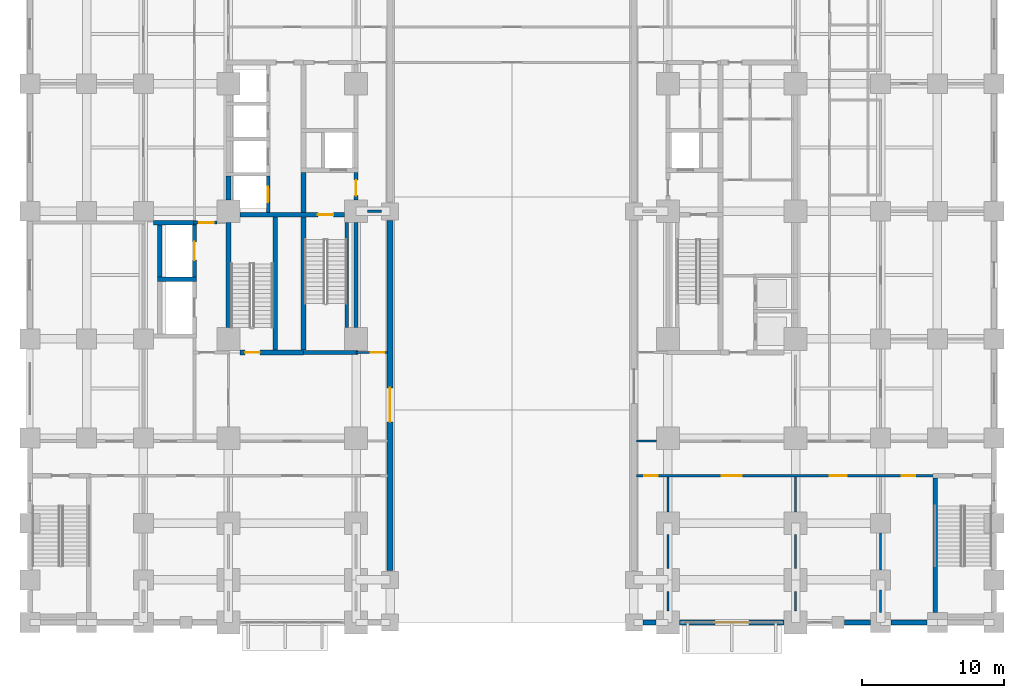
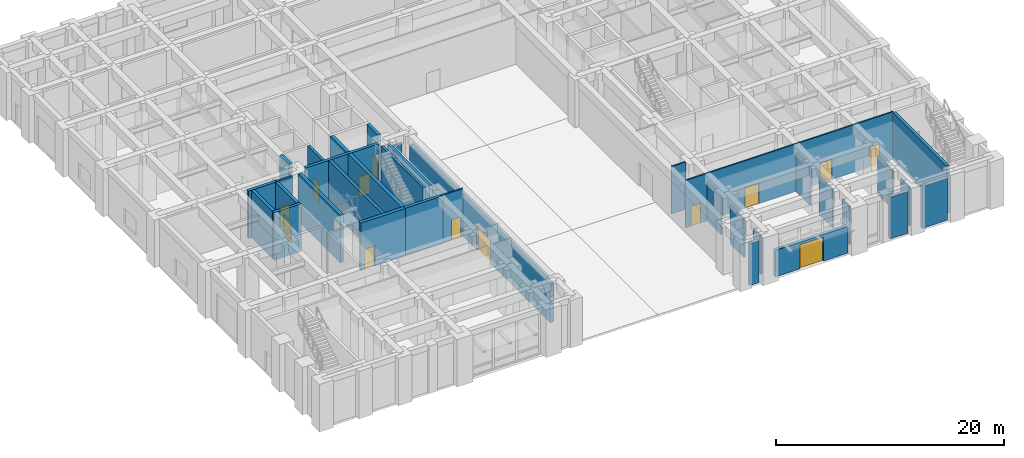
# One storey, part 7 of 20: 35 walls, 13 doors, 13 openings.
"""IFC4 building model written with IfcOpenShell, lengths in metres."""

from ifc_helpers import new_model, si_unit, direction, frame, frame_2d, origin, place, context, subcontext, project, spatial, rectangle, extrude, material, layer, layer_set, type_object, element, fill, save


model = new_model("IFC4")

# Units and contexts
model_context = context("Model", 3, precision=1e-05, world=origin(), true_north=direction((0.0, 1.0)))
body_context = subcontext(model_context, "Body", "Model", "MODEL_VIEW")
ifc_project = project(units=[si_unit("LENGTHUNIT", "METRE"), si_unit("AREAUNIT", "SQUARE_METRE"), si_unit("VOLUMEUNIT", "CUBIC_METRE"), si_unit("PLANEANGLEUNIT", "RADIAN"), si_unit("MASSUNIT", "GRAM", prefix="KILO")], contexts=[model_context])

# Site, building, storey
site_placement = place(None, origin())
site = spatial("IfcSite", under=ifc_project, at=site_placement, CompositionType="ELEMENT")
building_placement = place(site_placement, origin())
building = spatial("IfcBuilding", under=site, at=building_placement, Name="Zulmaris Gate Convention Tower", CompositionType="ELEMENT")
storey_placement = place(building_placement, origin())
storey = spatial("IfcBuildingStorey", under=building, at=storey_placement, Name="L00", CompositionType="ELEMENT", Elevation=0.0)

# Wall, opening, door
ifc_material_1 = material(Name="Concrete C50/60", Category="concrete")
ifc_layer_1 = layer(ifc_material_1, 0.25, Name="Concrete C50/60")
ifc_layer_set_1 = layer_set([ifc_layer_1], Name="Concrete C50/60")
wall_type_1 = type_object("IfcWallType", Name="CORE-250", PredefinedType="SOLIDWALL", material=ifc_layer_set_1)
wall_1_placement = place(storey_placement, frame((-17.199951171875, -0.097900390625, 0.0), z_axis=(0.0, 0.0, 1.0), x_axis=(0.0, 1.0, 0.0)))
wall_1 = element("IfcWall", 1, at=wall_1_placement, inside=storey, type_object=wall_type_1, Name="WL-L00-075", PredefinedType="SOLIDWALL", context=body_context, shape_type="SweptSolid", body=[
    extrude(rectangle(XDim=2.57080078125, YDim=0.25, at=frame_2d((1.285400390625, 0.0))), origin(), (0.0, 0.0, 1.0), 5.08984375),
])
opening_1_placement = place(wall_1_placement, frame((0.722900390625, 0.0, 0.0)))
opening_1 = element("IfcOpeningElement", 2, at=opening_1_placement, cuts=wall_1, Name="Opening D-06", PredefinedType="OPENING", context=body_context, shape_type="SweptSolid", body=[
    extrude(rectangle(XDim=1.10009765625, YDim=2.199951171875, at=frame_2d((0.550048828125, 1.10009765625))), frame((0.0, 0.135009765625, 0.0), z_axis=(0.0, -1.0, 0.0), x_axis=(1.0, 0.0, 0.0)), (0.0, 0.0, 1.0), 0.27001953125),
])
ifc_material_2 = material(Name="Brushed Stainless Steel", Category="steel")
door_type_1 = type_object("IfcDoorType", Name="LD-1100", OperationType="NOTDEFINED", PredefinedType="DOOR", material=ifc_material_2)
door_1_placement = place(opening_1_placement, origin())
door_1 = element("IfcDoor", 3, at=door_1_placement, inside=storey, type_object=door_type_1, Name="L00 Lift Landing Door LP-01 12", OperationType="SLIDING_TO_LEFT", OverallHeight=2.199951171875, OverallWidth=1.10009765625, PredefinedType="DOOR", context=body_context, shape_type="SweptSolid", body=[
    extrude(rectangle(XDim=1.10009765625, YDim=2.199951171875, at=frame_2d((0.550048828125, 1.10009765625))), frame((0.0, 0.02490234375, 0.0), z_axis=(0.0, -1.0, 0.0), x_axis=(1.0, 0.0, 0.0)), (0.0, 0.0, 1.0), 0.050048828125),
])
fill(opening_1, door_1)

# Walls
wall_2_placement = place(storey_placement, frame((-11.64990234375, -8.196044921875, 0.0), z_axis=(0.0, 0.0, 1.0), x_axis=(0.0, 1.0, 0.0)))
element("IfcWall", 4, at=wall_2_placement, inside=storey, type_object=wall_type_1, Name="WL-L00-085", PredefinedType="SOLIDWALL", context=body_context, shape_type="SweptSolid", body=[
    extrude(rectangle(XDim=7.39208984375, YDim=0.25, at=frame_2d((3.696044921875, 0.0))), origin(), (0.0, 0.0, 1.0), 5.08984375),
])
ifc_layer_2 = layer(ifc_material_1, 0.300048828125, Name="Concrete C50/60")
ifc_layer_set_2 = layer_set([ifc_layer_2], Name="Concrete C50/60")
wall_type_2 = type_object("IfcWallType", Name="CORE-300", PredefinedType="SHEAR", material=ifc_layer_set_2)
wall_3_placement = place(storey_placement, frame((-14.699951171875, -9.949951171875, 0.0), z_axis=(0.0, 0.0, 1.0), x_axis=(1.0, 0.0, 0.0)))
element("IfcWall", 5, at=wall_3_placement, inside=storey, type_object=wall_type_2, Name="WL-L00-006", PredefinedType="SHEAR", context=body_context, shape_type="SweptSolid", body=[
    extrude(rectangle(XDim=3.849853515625, YDim=0.300048828125, at=frame_2d((1.9248046875, 0.0))), origin(), (0.0, 0.0, 1.0), 5.08984375),
])
wall_4_placement = place(storey_placement, frame((-25.0, -4.800048828125, 0.0), z_axis=(0.0, 0.0, 1.0), x_axis=(1.0, 0.0, 0.0)))
element("IfcWall", 6, at=wall_4_placement, inside=storey, type_object=wall_type_2, Name="WL-L00-011", PredefinedType="SHEAR", context=body_context, shape_type="SweptSolid", body=[
    extrude(rectangle(XDim=2.75, YDim=0.300048828125, at=frame_2d((1.375, 0.0))), origin(), (0.0, 0.0, 1.0), 5.08984375),
])
wall_5_placement = place(storey_placement, frame((-25.2958984375, -0.800048828125, 0.0), z_axis=(0.0, 0.0, 1.0), x_axis=(1.0, 0.0, 0.0)))
element("IfcWall", 7, at=wall_5_placement, inside=storey, type_object=wall_type_2, Name="WL-L00-013", PredefinedType="SHEAR", context=body_context, shape_type="SweptSolid", body=[
    extrude(rectangle(XDim=3.0458984375, YDim=0.300048828125, at=frame_2d((1.52294921875, 0.0))), origin(), (0.0, 0.0, 1.0), 5.08984375),
])

# Wall, opening, door
wall_6_placement = place(storey_placement, frame((-19.196044921875, -0.25, 0.0), z_axis=(0.0, 0.0, 1.0), x_axis=(1.0, 0.0, 0.0)))
wall_6 = element("IfcWall", 8, at=wall_6_placement, inside=storey, type_object=wall_type_2, Name="WL-L00-014", PredefinedType="SHEAR", context=body_context, shape_type="SweptSolid", body=[
    extrude(rectangle(XDim=7.39208984375, YDim=0.300048828125, at=frame_2d((3.696044921875, 0.0))), origin(), (0.0, 0.0, 1.0), 5.08984375),
])
opening_2_placement = place(wall_6_placement, frame((5.49609375, 0.0, 0.0)))
opening_2 = element("IfcOpeningElement", 9, at=opening_2_placement, cuts=wall_6, Name="Opening D-08", PredefinedType="OPENING", context=body_context, shape_type="SweptSolid", body=[
    extrude(rectangle(XDim=1.10009765625, YDim=2.14990234375, at=frame_2d((0.550048828125, 1.074951171875))), frame((0.0, 0.16015625, 0.0), z_axis=(0.0, -1.0, 0.0), x_axis=(1.0, 0.0, 0.0)), (0.0, 0.0, 1.0), 0.320068359375),
])
ifc_material_3 = material(Name="Fire-Rated Steel", Category="steel")
door_type_2 = type_object("IfcDoorType", Name="DR-1100-FD", OperationType="NOTDEFINED", PredefinedType="DOOR", material=ifc_material_3)
door_2_placement = place(opening_2_placement, origin())
door_2 = element("IfcDoor", 10, at=door_2_placement, inside=storey, type_object=door_type_2, Name="L00 Exit Stair ST-1 Door 01", OperationType="SINGLE_SWING_RIGHT", OverallHeight=2.14990234375, OverallWidth=1.10009765625, PredefinedType="DOOR", context=body_context, shape_type="SweptSolid", body=[
    extrude(rectangle(XDim=1.10009765625, YDim=2.14990234375, at=frame_2d((0.550048828125, 1.074951171875))), frame((0.0, 0.02490234375, 0.0), z_axis=(0.0, -1.0, 0.0), x_axis=(1.0, 0.0, 0.0)), (0.0, 0.0, 1.0), 0.050048828125),
])
fill(opening_2, door_2)

# Wall
wall_7_placement = place(storey_placement, frame((-24.85009765625, -4.64794921875, 0.0), z_axis=(0.0, 0.0, 1.0), x_axis=(0.0, 1.0, 0.0)))
element("IfcWall", 11, at=wall_7_placement, inside=storey, type_object=wall_type_2, Name="WL-L00-067", PredefinedType="SHEAR", context=body_context, shape_type="SweptSolid", body=[
    extrude(rectangle(XDim=3.696044921875, YDim=0.300048828125, at=frame_2d((1.84814453125, 0.0))), origin(), (0.0, 0.0, 1.0), 5.08984375),
])

# Wall, opening, door
wall_8_placement = place(storey_placement, frame((-22.39990234375, -4.64794921875, 0.0), z_axis=(0.0, 0.0, 1.0), x_axis=(0.0, 1.0, 0.0)))
wall_8 = element("IfcWall", 12, at=wall_8_placement, inside=storey, type_object=wall_type_2, Name="WL-L00-069", PredefinedType="SHEAR", context=body_context, shape_type="SweptSolid", body=[
    extrude(rectangle(XDim=3.696044921875, YDim=0.300048828125, at=frame_2d((1.84814453125, 0.0))), origin(), (0.0, 0.0, 1.0), 5.08984375),
])
opening_3_placement = place(wall_8_placement, frame((1.197998046875, 0.0, 0.0)))
opening_3 = element("IfcOpeningElement", 13, at=opening_3_placement, cuts=wall_8, Name="Opening D-07", PredefinedType="OPENING", context=body_context, shape_type="SweptSolid", body=[
    extrude(rectangle(XDim=1.300048828125, YDim=2.300048828125, at=frame_2d((0.64990234375, 1.14990234375))), frame((0.0, 0.16015625, 0.0), z_axis=(0.0, -1.0, 0.0), x_axis=(1.0, 0.0, 0.0)), (0.0, 0.0, 1.0), 0.320068359375),
])
ifc_material_4 = material(Name="Heavy-Duty Brushed Stainless Steel", Category="steel")
door_type_3 = type_object("IfcDoorType", Name="LD-1300", OperationType="NOTDEFINED", PredefinedType="DOOR", material=ifc_material_4)
door_3_placement = place(opening_3_placement, origin())
door_3 = element("IfcDoor", 14, at=door_3_placement, inside=storey, type_object=door_type_3, Name="L00 Goods Lift Door GL-02 25", OperationType="SLIDING_TO_LEFT", OverallHeight=2.300048828125, OverallWidth=1.300048828125, PredefinedType="DOOR", context=body_context, shape_type="SweptSolid", body=[
    extrude(rectangle(XDim=1.300048828125, YDim=2.300048828125, at=frame_2d((0.64990234375, 1.14990234375))), frame((0.0, 0.02490234375, 0.0), z_axis=(0.0, -1.0, 0.0), x_axis=(1.0, 0.0, 0.0)), (0.0, 0.0, 1.0), 0.050048828125),
])
fill(opening_3, door_3)

# Walls
wall_9_placement = place(storey_placement, frame((-16.699951171875, -9.77294921875, 0.0), z_axis=(0.0, 0.0, 1.0), x_axis=(0.0, 1.0, 0.0)))
element("IfcWall", 15, at=wall_9_placement, inside=storey, type_object=wall_type_2, Name="WL-L00-079", PredefinedType="SHEAR", context=body_context, shape_type="SweptSolid", body=[
    extrude(rectangle(XDim=9.370849609375, YDim=0.300048828125, at=frame_2d((4.685546875, 0.0))), origin(), (0.0, 0.0, 1.0), 5.08984375),
])
wall_10_placement = place(storey_placement, frame((-11.0, -8.196044921875, 0.0), z_axis=(0.0, 0.0, 1.0), x_axis=(0.0, 1.0, 0.0)))
element("IfcWall", 16, at=wall_10_placement, inside=storey, type_object=wall_type_2, Name="WL-L00-086", PredefinedType="SHEAR", context=body_context, shape_type="SweptSolid", body=[
    extrude(rectangle(XDim=7.39208984375, YDim=0.300048828125, at=frame_2d((3.696044921875, 0.0))), origin(), (0.0, 0.0, 1.0), 5.08984375),
])

# Wall, opening, door
wall_11_placement = place(storey_placement, frame((-11.0, 0.803955078125, 0.0), z_axis=(0.0, 0.0, 1.0), x_axis=(0.0, 1.0, 0.0)))
wall_11 = element("IfcWall", 17, at=wall_11_placement, inside=storey, type_object=wall_type_2, Name="WL-L00-087", PredefinedType="SHEAR", context=body_context, shape_type="SweptSolid", body=[
    extrude(rectangle(XDim=1.944091796875, YDim=0.300048828125, at=frame_2d((0.97216796875, 0.0))), origin(), (0.0, 0.0, 1.0), 5.08984375),
])
opening_4_placement = place(wall_11_placement, frame((0.2958984375, 0.0, 0.0)))
opening_4 = element("IfcOpeningElement", 18, at=opening_4_placement, cuts=wall_11, Name="Opening D-08", PredefinedType="OPENING", context=body_context, shape_type="SweptSolid", body=[
    extrude(rectangle(XDim=1.10009765625, YDim=2.14990234375, at=frame_2d((0.550048828125, 1.074951171875))), frame((0.0, 0.16015625, 0.0), z_axis=(0.0, -1.0, 0.0), x_axis=(1.0, 0.0, 0.0)), (0.0, 0.0, 1.0), 0.320068359375),
])
door_4_placement = place(opening_4_placement, origin())
door_4 = element("IfcDoor", 19, at=door_4_placement, inside=storey, type_object=door_type_2, Name="L00 West Firefighting Lobby Door 02", OperationType="SINGLE_SWING_LEFT", OverallHeight=2.14990234375, OverallWidth=1.10009765625, PredefinedType="DOOR", context=body_context, shape_type="SweptSolid", body=[
    extrude(rectangle(XDim=1.10009765625, YDim=2.14990234375, at=frame_2d((0.550048828125, 1.074951171875))), frame((0.0, 0.02490234375, 0.0), z_axis=(0.0, -1.0, 0.0), x_axis=(1.0, 0.0, 0.0)), (0.0, 0.0, 1.0), 0.050048828125),
])
fill(opening_4, door_4)

# Wall
wall_12_placement = place(storey_placement, frame((29.85009765625, -28.2958984375, 0.0), z_axis=(0.0, 0.0, 1.0), x_axis=(0.0, 1.0, 0.0)))
element("IfcWall", 20, at=wall_12_placement, inside=storey, type_object=wall_type_2, Name="WL-L00-106", PredefinedType="SHEAR", context=body_context, shape_type="SweptSolid", body=[
    extrude(rectangle(XDim=9.493896484375, YDim=0.300048828125, at=frame_2d((4.7470703125, 0.0))), origin(), (0.0, 0.0, 1.0), 5.08984375),
])

# Wall, opening, door
ifc_material_5 = material(Name="Concrete C55/67", Category="concrete")
ifc_layer_3 = layer(ifc_material_5, 0.35009765625, Name="Concrete C55/67")
ifc_layer_set_3 = layer_set([ifc_layer_3], Name="Concrete C55/67")
wall_type_3 = type_object("IfcWallType", Name="CORE-350", PredefinedType="SHEAR", material=ifc_layer_set_3)
wall_13_placement = place(storey_placement, frame((-19.196044921875, -9.949951171875, 0.0), z_axis=(0.0, 0.0, 1.0), x_axis=(1.0, 0.0, 0.0)))
wall_13 = element("IfcWall", 21, at=wall_13_placement, inside=storey, type_object=wall_type_3, Name="WL-L00-005", PredefinedType="SHEAR", context=body_context, shape_type="SweptSolid", body=[
    extrude(rectangle(XDim=4.49609375, YDim=0.35009765625, at=frame_2d((2.248046875, 0.0))), origin(), (0.0, 0.0, 1.0), 5.08984375),
])
opening_5_placement = place(wall_13_placement, frame((0.37109375, 0.0, 0.0)))
opening_5 = element("IfcOpeningElement", 22, at=opening_5_placement, cuts=wall_13, Name="Opening D-09", PredefinedType="OPENING", context=body_context, shape_type="SweptSolid", body=[
    extrude(rectangle(XDim=1.050048828125, YDim=2.14990234375, at=frame_2d((0.52490234375, 1.074951171875))), frame((0.0, 0.18505859375, 0.0), z_axis=(0.0, -1.0, 0.0), x_axis=(1.0, 0.0, 0.0)), (0.0, 0.0, 1.0), 0.3701171875),
])
door_type_4 = type_object("IfcDoorType", Name="DR-1050-FD", OperationType="NOTDEFINED", PredefinedType="DOOR", material=ifc_material_3)
door_5_placement = place(opening_5_placement, origin())
door_5 = element("IfcDoor", 23, at=door_5_placement, inside=storey, type_object=door_type_4, Name="L00 Exit Stair ST-3 Door 10", OperationType="SINGLE_SWING_LEFT", OverallHeight=2.14990234375, OverallWidth=1.050048828125, PredefinedType="DOOR", context=body_context, shape_type="SweptSolid", body=[
    extrude(rectangle(XDim=1.050048828125, YDim=2.14990234375, at=frame_2d((0.52490234375, 1.074951171875))), frame((0.0, 0.02490234375, 0.0), z_axis=(0.0, -1.0, 0.0), x_axis=(1.0, 0.0, 0.0)), (0.0, 0.0, 1.0), 0.050048828125),
])
fill(opening_5, door_5)

# Walls
wall_14_placement = place(storey_placement, frame((-20.0, -8.196044921875, 0.0), z_axis=(0.0, 0.0, 1.0), x_axis=(0.0, 1.0, 0.0)))
element("IfcWall", 24, at=wall_14_placement, inside=storey, type_object=wall_type_3, Name="WL-L00-070", PredefinedType="SHEAR", context=body_context, shape_type="SweptSolid", body=[
    extrude(rectangle(XDim=7.39208984375, YDim=0.35009765625, at=frame_2d((3.696044921875, 0.0))), origin(), (0.0, 0.0, 1.0), 5.08984375),
])
wall_15_placement = place(storey_placement, frame((-20.0, 0.803955078125, 0.0), z_axis=(0.0, 0.0, 1.0), x_axis=(0.0, 1.0, 0.0)))
element("IfcWall", 25, at=wall_15_placement, inside=storey, type_object=wall_type_3, Name="WL-L00-071", PredefinedType="SHEAR", context=body_context, shape_type="SweptSolid", body=[
    extrude(rectangle(XDim=1.6689453125, YDim=0.35009765625, at=frame_2d((0.83447265625, 0.0))), origin(), (0.0, 0.0, 1.0), 5.08984375),
])
wall_16_placement = place(storey_placement, frame((-14.699951171875, -9.77294921875, 0.0), z_axis=(0.0, 0.0, 1.0), x_axis=(0.0, 1.0, 0.0)))
element("IfcWall", 26, at=wall_16_placement, inside=storey, type_object=wall_type_3, Name="WL-L00-080", PredefinedType="SHEAR", context=body_context, shape_type="SweptSolid", body=[
    extrude(rectangle(XDim=9.370849609375, YDim=0.35009765625, at=frame_2d((4.685546875, 0.0))), origin(), (0.0, 0.0, 1.0), 5.08984375),
])
wall_17_placement = place(storey_placement, frame((-14.699951171875, -0.097900390625, 0.0), z_axis=(0.0, 0.0, 1.0), x_axis=(0.0, 1.0, 0.0)))
element("IfcWall", 27, at=wall_17_placement, inside=storey, type_object=wall_type_3, Name="WL-L00-081", PredefinedType="SHEAR", context=body_context, shape_type="SweptSolid", body=[
    extrude(rectangle(XDim=2.845947265625, YDim=0.35009765625, at=frame_2d((1.4228515625, 0.0))), origin(), (0.0, 0.0, 1.0), 5.08984375),
])

# Wall, openings, doors
ifc_material_6 = material(Name="Gypsum Metal Stud Partition")
ifc_layer_4 = layer(ifc_material_6, 0.14990234375, Name="Gypsum Metal Stud Partition")
ifc_layer_set_4 = layer_set([ifc_layer_4], Name="Gypsum Metal Stud Partition")
wall_type_4 = type_object("IfcWallType", Name="PART-150", PredefinedType="PARTITIONING", material=ifc_layer_set_4)
wall_18_placement = place(storey_placement, frame((8.764892578125, -18.64990234375, 0.0), z_axis=(0.0, 0.0, 1.0), x_axis=(1.0, 0.0, 0.0)))
wall_18 = element("IfcWall", 28, at=wall_18_placement, inside=storey, type_object=wall_type_4, Name="WL-L00-033", PredefinedType="PARTITIONING", context=body_context, shape_type="SweptSolid", body=[
    extrude(rectangle(XDim=21.085205078125, YDim=0.14990234375, at=frame_2d((10.54248046875, 0.0))), origin(), (0.0, 0.0, 1.0), 5.08984375),
])
opening_6_placement = place(wall_18_placement, frame((0.56005859375, 0.0, 0.0)))
opening_6 = element("IfcOpeningElement", 29, at=opening_6_placement, cuts=wall_18, Name="Opening D-11", PredefinedType="OPENING", context=body_context, shape_type="SweptSolid", body=[
    extrude(rectangle(XDim=0.949951171875, YDim=2.14990234375, at=frame_2d((0.47509765625, 1.074951171875))), frame((0.0, 0.0849609375, 0.0), z_axis=(0.0, -1.0, 0.0), x_axis=(1.0, 0.0, 0.0)), (0.0, 0.0, 1.0), 0.169921875),
])
opening_7_placement = place(wall_18_placement, frame((6.034912109375, 0.0, 0.0)))
opening_7 = element("IfcOpeningElement", 30, at=opening_7_placement, cuts=wall_18, Name="Opening D-14", PredefinedType="OPENING", context=body_context, shape_type="SweptSolid", body=[
    extrude(rectangle(XDim=1.39990234375, YDim=2.199951171875, at=frame_2d((0.699951171875, 1.10009765625))), frame((0.0, 0.0849609375, 0.0), z_axis=(0.0, -1.0, 0.0), x_axis=(1.0, 0.0, 0.0)), (0.0, 0.0, 1.0), 0.169921875),
])
opening_8_placement = place(wall_18_placement, frame((13.635009765625, 0.0, 0.0)))
opening_8 = element("IfcOpeningElement", 31, at=opening_8_placement, cuts=wall_18, Name="Opening D-13", PredefinedType="OPENING", context=body_context, shape_type="SweptSolid", body=[
    extrude(rectangle(XDim=1.199951171875, YDim=2.14990234375, at=frame_2d((0.60009765625, 1.074951171875))), frame((0.0, 0.0849609375, 0.0), z_axis=(0.0, -1.0, 0.0), x_axis=(1.0, 0.0, 0.0)), (0.0, 0.0, 1.0), 0.169921875),
])
opening_9_placement = place(wall_18_placement, frame((18.7099609375, 0.0, 0.0)))
opening_9 = element("IfcOpeningElement", 32, at=opening_9_placement, cuts=wall_18, Name="Opening D-11", PredefinedType="OPENING", context=body_context, shape_type="SweptSolid", body=[
    extrude(rectangle(XDim=0.949951171875, YDim=2.14990234375, at=frame_2d((0.47509765625, 1.074951171875))), frame((0.0, 0.0849609375, 0.0), z_axis=(0.0, -1.0, 0.0), x_axis=(1.0, 0.0, 0.0)), (0.0, 0.0, 1.0), 0.169921875),
])
door_type_5 = type_object("IfcDoorType", Name="DR-1200-FD", OperationType="NOTDEFINED", PredefinedType="DOOR", material=ifc_material_3)
door_6_placement = place(opening_8_placement, origin())
door_6 = element("IfcDoor", 33, at=door_6_placement, inside=storey, type_object=door_type_5, Name="L00 Visitor Foyer Door 64", OperationType="SINGLE_SWING_LEFT", OverallHeight=2.14990234375, OverallWidth=1.199951171875, PredefinedType="DOOR", context=body_context, shape_type="SweptSolid", body=[
    extrude(rectangle(XDim=1.199951171875, YDim=2.14990234375, at=frame_2d((0.60009765625, 1.074951171875))), frame((0.0, 0.02490234375, 0.0), z_axis=(0.0, -1.0, 0.0), x_axis=(1.0, 0.0, 0.0)), (0.0, 0.0, 1.0), 0.050048828125),
])
fill(opening_8, door_6)
ifc_material_7 = material(Name="Fire-Rated Glazed Steel", Category="steel")
door_type_6 = type_object("IfcDoorType", Name="DR-1400-FD", OperationType="NOTDEFINED", PredefinedType="DOOR", material=ifc_material_7)
door_7_placement = place(opening_7_placement, origin())
door_7 = element("IfcDoor", 34, at=door_7_placement, inside=storey, type_object=door_type_6, Name="L00 Main Entrance Lobby Door 63", OperationType="SINGLE_SWING_RIGHT", OverallHeight=2.199951171875, OverallWidth=1.39990234375, PredefinedType="DOOR", context=body_context, shape_type="SweptSolid", body=[
    extrude(rectangle(XDim=1.39990234375, YDim=2.199951171875, at=frame_2d((0.699951171875, 1.10009765625))), frame((0.0, 0.02490234375, 0.0), z_axis=(0.0, -1.0, 0.0), x_axis=(1.0, 0.0, 0.0)), (0.0, 0.0, 1.0), 0.050048828125),
])
fill(opening_7, door_7)
ifc_material_8 = material(Name="Fire-Rated Timber", Category="wood")
door_type_7 = type_object("IfcDoorType", Name="DR-950-FD", OperationType="NOTDEFINED", PredefinedType="DOOR", material=ifc_material_8)
door_8_placement = place(opening_6_placement, origin())
door_8 = element("IfcDoor", 35, at=door_8_placement, inside=storey, type_object=door_type_7, Name="L00 East Cloakroom Door 62", OperationType="SINGLE_SWING_LEFT", OverallHeight=2.14990234375, OverallWidth=0.949951171875, PredefinedType="DOOR", context=body_context, shape_type="SweptSolid", body=[
    extrude(rectangle(XDim=0.949951171875, YDim=2.14990234375, at=frame_2d((0.47509765625, 1.074951171875))), frame((0.0, 0.02490234375, 0.0), z_axis=(0.0, -1.0, 0.0), x_axis=(1.0, 0.0, 0.0)), (0.0, 0.0, 1.0), 0.050048828125),
])
fill(opening_6, door_8)
door_9_placement = place(opening_9_placement, origin())
door_9 = element("IfcDoor", 36, at=door_9_placement, inside=storey, type_object=door_type_7, Name="L00 Security Office Door 65", OperationType="SINGLE_SWING_RIGHT", OverallHeight=2.14990234375, OverallWidth=0.949951171875, PredefinedType="DOOR", context=body_context, shape_type="SweptSolid", body=[
    extrude(rectangle(XDim=0.949951171875, YDim=2.14990234375, at=frame_2d((0.47509765625, 1.074951171875))), frame((0.0, 0.02490234375, 0.0), z_axis=(0.0, -1.0, 0.0), x_axis=(1.0, 0.0, 0.0)), (0.0, 0.0, 1.0), 0.050048828125),
])
fill(opening_9, door_9)

# Wall
wall_19_placement = place(storey_placement, frame((8.764892578125, -16.199951171875, 0.0), z_axis=(0.0, 0.0, 1.0), x_axis=(1.0, 0.0, 0.0)))
element("IfcWall", 37, at=wall_19_placement, inside=storey, type_object=wall_type_4, Name="WL-L00-036", PredefinedType="PARTITIONING", context=body_context, shape_type="SweptSolid", body=[
    extrude(rectangle(XDim=1.42919921875, YDim=0.14990234375, at=frame_2d((0.714599609375, 0.0))), origin(), (0.0, 0.0, 1.0), 5.08984375),
])

# Wall, opening, door
wall_20_placement = place(storey_placement, frame((-11.0, -9.949951171875, 0.0), z_axis=(0.0, 0.0, 1.0), x_axis=(1.0, 0.0, 0.0)))
wall_20 = element("IfcWall", 38, at=wall_20_placement, inside=storey, type_object=wall_type_4, Name="WL-L00-038", PredefinedType="PARTITIONING", context=body_context, shape_type="SweptSolid", body=[
    extrude(rectangle(XDim=2.235107421875, YDim=0.14990234375, at=frame_2d((1.11767578125, 0.0))), origin(), (0.0, 0.0, 1.0), 5.08984375),
])
opening_10_placement = place(wall_20_placement, frame((1.044921875, 0.0, 0.0)))
opening_10 = element("IfcOpeningElement", 39, at=opening_10_placement, cuts=wall_20, Name="Opening D-11", PredefinedType="OPENING", context=body_context, shape_type="SweptSolid", body=[
    extrude(rectangle(XDim=0.949951171875, YDim=2.14990234375, at=frame_2d((0.47509765625, 1.074951171875))), frame((0.0, 0.0849609375, 0.0), z_axis=(0.0, -1.0, 0.0), x_axis=(1.0, 0.0, 0.0)), (0.0, 0.0, 1.0), 0.169921875),
])
door_10_placement = place(opening_10_placement, origin())
door_10 = element("IfcDoor", 40, at=door_10_placement, inside=storey, type_object=door_type_7, Name="L00 SW Arch Store Door 30", OperationType="SINGLE_SWING_LEFT", OverallHeight=2.14990234375, OverallWidth=0.949951171875, PredefinedType="DOOR", context=body_context, shape_type="SweptSolid", body=[
    extrude(rectangle(XDim=0.949951171875, YDim=2.14990234375, at=frame_2d((0.47509765625, 1.074951171875))), frame((0.0, 0.02490234375, 0.0), z_axis=(0.0, -1.0, 0.0), x_axis=(1.0, 0.0, 0.0)), (0.0, 0.0, 1.0), 0.050048828125),
])
fill(opening_10, door_10)

# Walls
wall_21_placement = place(storey_placement, frame((-10.194091796875, 0.0, 0.0), z_axis=(0.0, 0.0, 1.0), x_axis=(1.0, 0.0, 0.0)))
element("IfcWall", 41, at=wall_21_placement, inside=storey, type_object=wall_type_4, Name="WL-L00-044", PredefinedType="PARTITIONING", context=body_context, shape_type="SweptSolid", body=[
    extrude(rectangle(XDim=0.988037109375, YDim=0.14990234375, at=frame_2d((0.494140625, 0.0))), origin(), (0.0, 0.0, 1.0), 4.1318359375),
])
wall_22_placement = place(storey_placement, frame((11.0, -28.194091796875, 0.0), z_axis=(0.0, 0.0, 1.0), x_axis=(0.0, 1.0, 0.0)))
element("IfcWall", 42, at=wall_22_placement, inside=storey, type_object=wall_type_4, Name="WL-L00-128", PredefinedType="PARTITIONING", context=body_context, shape_type="SweptSolid", body=[
    extrude(rectangle(XDim=1.38818359375, YDim=0.14990234375, at=frame_2d((0.694091796875, 0.0))), origin(), (0.0, 0.0, 1.0), 4.1318359375),
])
wall_23_placement = place(storey_placement, frame((11.0, -25.194091796875, 0.0), z_axis=(0.0, 0.0, 1.0), x_axis=(0.0, 1.0, 0.0)))
element("IfcWall", 43, at=wall_23_placement, inside=storey, type_object=wall_type_4, Name="WL-L00-128S1", PredefinedType="PARTITIONING", context=body_context, shape_type="SweptSolid", body=[
    extrude(rectangle(XDim=2.38818359375, YDim=0.14990234375, at=frame_2d((1.194091796875, 0.0))), origin(), (0.0, 0.0, 1.0), 4.1318359375),
])
wall_24_placement = place(storey_placement, frame((11.0, -21.194091796875, 0.0), z_axis=(0.0, 0.0, 1.0), x_axis=(0.0, 1.0, 0.0)))
element("IfcWall", 44, at=wall_24_placement, inside=storey, type_object=wall_type_4, Name="WL-L00-128S2", PredefinedType="PARTITIONING", context=body_context, shape_type="SweptSolid", body=[
    extrude(rectangle(XDim=2.466064453125, YDim=0.14990234375, at=frame_2d((1.23291015625, 0.0))), origin(), (0.0, 0.0, 1.0), 4.1318359375),
])
wall_25_placement = place(storey_placement, frame((20.0, -28.194091796875, 0.0), z_axis=(0.0, 0.0, 1.0), x_axis=(0.0, 1.0, 0.0)))
element("IfcWall", 45, at=wall_25_placement, inside=storey, type_object=wall_type_4, Name="WL-L00-134", PredefinedType="PARTITIONING", context=body_context, shape_type="SweptSolid", body=[
    extrude(rectangle(XDim=1.38818359375, YDim=0.14990234375, at=frame_2d((0.694091796875, 0.0))), origin(), (0.0, 0.0, 1.0), 4.1318359375),
])
wall_26_placement = place(storey_placement, frame((20.0, -25.194091796875, 0.0), z_axis=(0.0, 0.0, 1.0), x_axis=(0.0, 1.0, 0.0)))
element("IfcWall", 46, at=wall_26_placement, inside=storey, type_object=wall_type_4, Name="WL-L00-134S1", PredefinedType="PARTITIONING", context=body_context, shape_type="SweptSolid", body=[
    extrude(rectangle(XDim=2.38818359375, YDim=0.14990234375, at=frame_2d((1.194091796875, 0.0))), origin(), (0.0, 0.0, 1.0), 4.1318359375),
])
wall_27_placement = place(storey_placement, frame((20.0, -21.194091796875, 0.0), z_axis=(0.0, 0.0, 1.0), x_axis=(0.0, 1.0, 0.0)))
element("IfcWall", 47, at=wall_27_placement, inside=storey, type_object=wall_type_4, Name="WL-L00-134S2", PredefinedType="PARTITIONING", context=body_context, shape_type="SweptSolid", body=[
    extrude(rectangle(XDim=2.466064453125, YDim=0.14990234375, at=frame_2d((1.23291015625, 0.0))), origin(), (0.0, 0.0, 1.0), 4.1318359375),
])
wall_28_placement = place(storey_placement, frame((26.0, -28.2939453125, 0.0), z_axis=(0.0, 0.0, 1.0), x_axis=(0.0, 1.0, 0.0)))
element("IfcWall", 48, at=wall_28_placement, inside=storey, type_object=wall_type_4, Name="WL-L00-148", PredefinedType="PARTITIONING", context=body_context, shape_type="SweptSolid", body=[
    extrude(rectangle(XDim=1.587890625, YDim=0.14990234375, at=frame_2d((0.7939453125, 0.0))), origin(), (0.0, 0.0, 1.0), 4.1318359375),
])
wall_29_placement = place(storey_placement, frame((26.0, -25.2939453125, 0.0), z_axis=(0.0, 0.0, 1.0), x_axis=(0.0, 1.0, 0.0)))
element("IfcWall", 49, at=wall_29_placement, inside=storey, type_object=wall_type_4, Name="WL-L00-148S1", PredefinedType="PARTITIONING", context=body_context, shape_type="SweptSolid", body=[
    extrude(rectangle(XDim=2.587890625, YDim=0.14990234375, at=frame_2d((1.2939453125, 0.0))), origin(), (0.0, 0.0, 1.0), 4.1318359375),
])

# Wall, opening, door
ifc_material_9 = material(Name="Autoclaved Aerated Concrete Block and Plasterboard", Category="concrete")
ifc_layer_5 = layer(ifc_material_9, 0.199951171875, Name="Autoclaved Aerated Concrete Block and Plasterboard")
ifc_layer_set_5 = layer_set([ifc_layer_5], Name="Autoclaved Aerated Concrete Block and Plasterboard")
wall_type_5 = type_object("IfcWallType", Name="PART-200", PredefinedType="PARTITIONING", material=ifc_layer_set_5)
wall_30_placement = place(storey_placement, frame((-22.47509765625, -0.800048828125, 0.0), z_axis=(0.0, 0.0, 1.0), x_axis=(1.0, 0.0, 0.0)))
wall_30 = element("IfcWall", 50, at=wall_30_placement, inside=storey, type_object=wall_type_5, Name="WL-L00-043", PredefinedType="PARTITIONING", context=body_context, shape_type="SweptSolid", body=[
    extrude(rectangle(XDim=1.669189453125, YDim=0.199951171875, at=frame_2d((0.83447265625, 0.0))), origin(), (0.0, 0.0, 1.0), 5.08984375),
])
opening_11_placement = place(wall_30_placement, frame((0.425048828125, 0.0, 0.0)))
opening_11 = element("IfcOpeningElement", 51, at=opening_11_placement, cuts=wall_30, Name="Opening D-10", PredefinedType="OPENING", context=body_context, shape_type="SweptSolid", body=[
    extrude(rectangle(XDim=1.0, YDim=2.14990234375, at=frame_2d((0.5, 1.074951171875))), frame((0.0, 0.10986328125, 0.0), z_axis=(0.0, -1.0, 0.0), x_axis=(1.0, 0.0, 0.0)), (0.0, 0.0, 1.0), 0.219970703125),
])
door_type_8 = type_object("IfcDoorType", Name="DR-1000-FD", OperationType="NOTDEFINED", PredefinedType="DOOR", material=ifc_material_8)
door_11_placement = place(opening_11_placement, origin())
door_11 = element("IfcDoor", 52, at=door_11_placement, inside=storey, type_object=door_type_8, Name="L00 Goods Lobby Door 26", OperationType="SINGLE_SWING_LEFT", OverallHeight=2.14990234375, OverallWidth=1.0, PredefinedType="DOOR", context=body_context, shape_type="SweptSolid", body=[
    extrude(rectangle(XDim=1.0, YDim=2.14990234375, at=frame_2d((0.5, 1.074951171875))), frame((0.0, 0.02490234375, 0.0), z_axis=(0.0, -1.0, 0.0), x_axis=(1.0, 0.0, 0.0)), (0.0, 0.0, 1.0), 0.050048828125),
])
fill(opening_11, door_11)

ifc_material_10 = material(Name="Precast concrete C50/60", Category="concrete")
ifc_layer_6 = layer(ifc_material_10, 0.39990234375, Name="Precast concrete C50/60")
ifc_layer_set_6 = layer_set([ifc_layer_6], Name="Precast concrete C50/60")
wall_type_6 = type_object("IfcWallType", Name="PRECAST-ARCH-400", PredefinedType="STANDARD", material=ifc_layer_set_6)
wall_31_placement = place(storey_placement, frame((-8.60009765625, -25.35009765625, 0.0), z_axis=(0.0, 0.0, 1.0), x_axis=(0.0, 1.0, 0.0)))
wall_31 = element("IfcWall", 53, at=wall_31_placement, inside=storey, type_object=wall_type_6, Name="EW-L00-ARCH-WS_0", PredefinedType="STANDARD", context=body_context, shape_type="SweptSolid", body=[
    extrude(rectangle(XDim=24.7001953125, YDim=0.39990234375, at=frame_2d((12.35009765625, 0.0))), origin(), (0.0, 0.0, 1.0), 4.1318359375),
])
opening_12_placement = place(wall_31_placement, frame((10.5, 0.0, 0.0)))
opening_12 = element("IfcOpeningElement", 54, at=opening_12_placement, cuts=wall_31, Name="Opening D-01", PredefinedType="OPENING", context=body_context, shape_type="SweptSolid", body=[
    extrude(rectangle(XDim=2.39990234375, YDim=2.60009765625, at=frame_2d((1.199951171875, 1.300048828125))), frame((0.0, 0.2099609375, 0.0), z_axis=(0.0, -1.0, 0.0), x_axis=(1.0, 0.0, 0.0)), (0.0, 0.0, 1.0), 0.419921875),
])
ifc_material_11 = material(Name="Anodised Aluminium and Laminated Glass", Category="aluminium")
door_type_9 = type_object("IfcDoorType", Name="ED-2400", OperationType="DOUBLE_DOOR_DOUBLE_SWING", PredefinedType="DOOR", material=ifc_material_11)
door_12_placement = place(opening_12_placement, origin())
door_12 = element("IfcDoor", 55, at=door_12_placement, inside=storey, type_object=door_type_9, Name="Pishtaq Concourse WS Lobby Door", OperationType="DOUBLE_DOOR_DOUBLE_SWING", OverallHeight=2.60009765625, OverallWidth=2.39990234375, PredefinedType="DOOR", context=body_context, shape_type="SweptSolid", body=[
    extrude(rectangle(XDim=2.39990234375, YDim=2.60009765625, at=frame_2d((1.199951171875, 1.300048828125))), frame((0.0, 0.02490234375, 0.0), z_axis=(0.0, -1.0, 0.0), x_axis=(1.0, 0.0, 0.0)), (0.0, 0.0, 1.0), 0.050048828125),
])
fill(opening_12, door_12)

# Wall
ifc_material_12 = material(Name="Precast concrete C45/55", Category="concrete")
ifc_layer_7 = layer(ifc_material_12, 0.35009765625, Name="Precast concrete C45/55")
ifc_layer_set_7 = layer_set([ifc_layer_7], Name="Precast concrete C45/55")
wall_type_7 = type_object("IfcWallType", Name="PRECAST-POD-350", PredefinedType="STANDARD", material=ifc_layer_set_7)
wall_32_placement = place(storey_placement, frame((9.22998046875, -29.0, 0.0), z_axis=(0.0, 0.0, 1.0), x_axis=(1.0, 0.0, 0.0)))
element("IfcWall", 56, at=wall_32_placement, inside=storey, type_object=wall_type_7, Name="EW-L00-S-86_0", PredefinedType="STANDARD", context=body_context, shape_type="SweptSolid", body=[
    extrude(rectangle(XDim=0.93994140625, YDim=0.35009765625, at=frame_2d((0.469970703125, 0.0))), origin(), (0.0, 0.0, 1.0), 4.48193359375),
])

# Wall, opening, door
wall_33_placement = place(storey_placement, frame((19.169921875, -29.0, 0.0), z_axis=(0.0, 0.0, 1.0), x_axis=(-1.0, 0.0, 0.0)))
wall_33 = element("IfcWall", 57, at=wall_33_placement, inside=storey, type_object=wall_type_7, Name="EW-L00-S-ENT", PredefinedType="STANDARD", context=body_context, shape_type="SweptSolid", body=[
    extrude(rectangle(XDim=7.33984375, YDim=0.35009765625, at=frame_2d((3.669921875, 0.0))), origin(), (0.0, 0.0, 1.0), 2.85009765625),
])
opening_13_placement = place(wall_33_placement, frame((2.469970703125, 0.0, 0.0)))
opening_13 = element("IfcOpeningElement", 58, at=opening_13_placement, cuts=wall_33, Name="Opening D-01", PredefinedType="OPENING", context=body_context, shape_type="SweptSolid", body=[
    extrude(rectangle(XDim=2.39990234375, YDim=2.60009765625, at=frame_2d((1.199951171875, 1.300048828125))), frame((0.0, 0.18505859375, 0.0), z_axis=(0.0, -1.0, 0.0), x_axis=(1.0, 0.0, 0.0)), (0.0, 0.0, 1.0), 0.3701171875),
])
door_13_placement = place(opening_13_placement, origin())
door_13 = element("IfcDoor", 59, at=door_13_placement, inside=storey, type_object=door_type_9, Name="Main Convention Entrance Door", OperationType="DOUBLE_DOOR_DOUBLE_SWING", OverallHeight=2.60009765625, OverallWidth=2.39990234375, PredefinedType="DOOR", context=body_context, shape_type="SweptSolid", body=[
    extrude(rectangle(XDim=2.39990234375, YDim=2.60009765625, at=frame_2d((1.199951171875, 1.300048828125))), frame((0.0, 0.02490234375, 0.0), z_axis=(0.0, -1.0, 0.0), x_axis=(1.0, 0.0, 0.0)), (0.0, 0.0, 1.0), 0.050048828125),
])
fill(opening_13, door_13)

# Walls
wall_34_placement = place(storey_placement, frame((23.455078125, -29.0, 0.0), z_axis=(0.0, 0.0, 1.0), x_axis=(1.0, 0.0, 0.0)))
element("IfcWall", 60, at=wall_34_placement, inside=storey, type_object=wall_type_7, Name="EW-L00-S-230_0", PredefinedType="STANDARD", context=body_context, shape_type="SweptSolid", body=[
    extrude(rectangle(XDim=1.81494140625, YDim=0.35009765625, at=frame_2d((0.907470703125, 0.0))), origin(), (0.0, 0.0, 1.0), 4.48193359375),
])
wall_35_placement = place(storey_placement, frame((26.72998046875, -29.0, 0.0), z_axis=(0.0, 0.0, 1.0), x_axis=(1.0, 0.0, 0.0)))
element("IfcWall", 61, at=wall_35_placement, inside=storey, type_object=wall_type_7, Name="EW-L00-S-260_0", PredefinedType="STANDARD", context=body_context, shape_type="SweptSolid", body=[
    extrude(rectangle(XDim=2.5400390625, YDim=0.35009765625, at=frame_2d((1.27001953125, 0.0))), origin(), (0.0, 0.0, 1.0), 4.48193359375),
])

save(model, "model.ifc")
